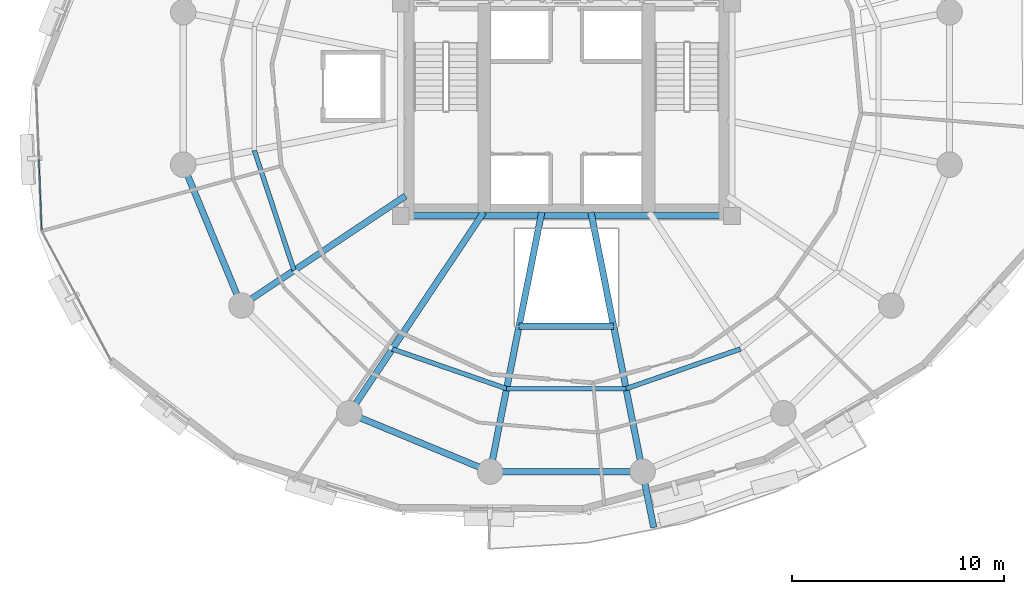
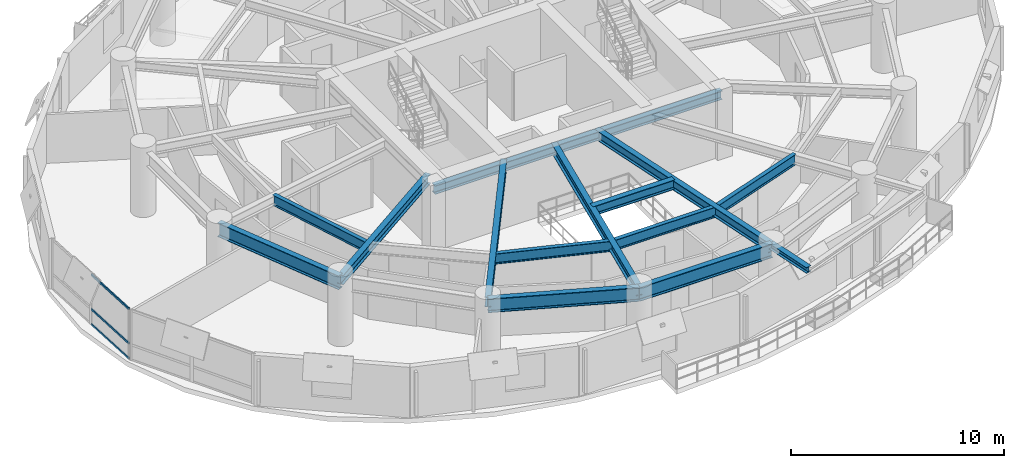
# One storey, part 3 of 15: 14 beams, 3 members, 1 element without a shape of its own.
"""IFC4 building model written with IfcOpenShell, lengths in metres."""

import ifcopenshell
import ifcopenshell.guid

model = None  # the IFC model being written
_history = None  # IfcOwnerHistory: only IFC2X3 demands one
_inside = {}  # id of a spatial element -> (the spatial element, [elements in it])
_under = {}  # id of a project, library or spatial element -> (it, [spatial elements below it])
_declared = {}  # id of a project -> (the project, [libraries it declares])
_typed = {}  # id of a type object -> (the type object, [elements of that type])
_made_of = {}  # id of a material, layer set ... -> (it, [elements and type objects made of it])


def new_model(schema):
    """Start an empty IFC model of exactly this schema.

    Asked for "IFC4X3", IfcOpenShell would pick the latest addendum, in which some entities
    have other attributes; the version numbers below select the first issue.
    IFC2X3 requires an IfcOwnerHistory on every rooted entity: one is made here for all.
    """
    global model, _history
    if schema == "IFC4X3":
        model = ifcopenshell.file(schema_version=(4, 3, 0, 0))
    else:
        model = ifcopenshell.file(schema=schema)
    _inside.clear()
    _under.clear()
    _declared.clear()
    _typed.clear()
    _made_of.clear()
    _history = None
    if model.schema == "IFC2X3":
        org = make("IfcOrganization", Name="unknown")
        user = make(
            "IfcPersonAndOrganization",
            ThePerson=make("IfcPerson", FamilyName="unknown"),
            TheOrganization=org,
        )
        app = make(
            "IfcApplication",
            ApplicationDeveloper=org,
            Version="unknown",
            ApplicationFullName="unknown",
            ApplicationIdentifier="unknown",
        )
        _history = make(
            "IfcOwnerHistory",
            OwningUser=user,
            OwningApplication=app,
            ChangeAction="ADDED",
            CreationDate=0,
        )
    return model


def make(cls, **values):
    """One entity of the class cls with the attributes given. An attribute that is None is left unset."""
    return model.create_entity(
        cls, **{name: value for name, value in values.items() if value is not None}
    )


def rooted(cls, **values):
    """An entity with a GlobalId (a new one), such as an element, a storey or a relation."""
    return make(cls, GlobalId=ifcopenshell.guid.new(), OwnerHistory=_history, **values)


def si_unit(unit_type, name, prefix=None):
    """IfcSIUnit, for example si_unit("LENGTHUNIT", "METRE", prefix="MILLI")."""
    return make("IfcSIUnit", UnitType=unit_type, Prefix=prefix, Name=name)


def assignment(units):
    """IfcUnitAssignment: the units of a project."""
    return None if units is None else make("IfcUnitAssignment", Units=units)


def point(xyz):
    """IfcCartesianPoint."""
    return None if xyz is None else make("IfcCartesianPoint", Coordinates=xyz)


def direction(xyz):
    """IfcDirection."""
    return None if xyz is None else make("IfcDirection", DirectionRatios=xyz)


def frame(location, z_axis=None, x_axis=None):
    """IfcAxis2Placement3D, a coordinate frame: its origin and axes. An axis left out is left unset."""
    return make(
        "IfcAxis2Placement3D",
        Location=point(location),
        Axis=direction(z_axis),
        RefDirection=direction(x_axis),
    )


def frame_2d(location, x_axis=None):
    """IfcAxis2Placement2D, a coordinate frame in the plane: its origin and x axis."""
    return make(
        "IfcAxis2Placement2D", Location=point(location), RefDirection=direction(x_axis)
    )


def origin():
    """The frame at (0, 0, 0) with its axes left unset."""
    return frame((0.0, 0.0, 0.0))


def origin_2d():
    """The frame at (0, 0) in the plane with its x axis left unset."""
    return frame_2d((0.0, 0.0))


def place(relative_to, where):
    """IfcLocalPlacement: puts the frame where relative to a parent placement (None: the world)."""
    return make(
        "IfcLocalPlacement", PlacementRelTo=relative_to, RelativePlacement=where
    )


def context(
    kind, dimensions, precision=None, world=None, true_north=None, identifier=None
):
    """IfcGeometricRepresentationContext, for example the 3D "Model" context."""
    return make(
        "IfcGeometricRepresentationContext",
        ContextIdentifier=identifier,
        ContextType=kind,
        CoordinateSpaceDimension=dimensions,
        Precision=precision,
        WorldCoordinateSystem=world,
        TrueNorth=true_north,
    )


def subcontext(parent, identifier, kind, view, scale=None):
    """IfcGeometricRepresentationSubContext, for example "Body" below "Model"."""
    return make(
        "IfcGeometricRepresentationSubContext",
        ContextIdentifier=identifier,
        ContextType=kind,
        ParentContext=parent,
        TargetScale=scale,
        TargetView=view,
    )


def project(units=None, contexts=None):
    """IfcProject with its units and contexts."""
    return rooted(
        "IfcProject",
        Name="project",
        RepresentationContexts=contexts,
        UnitsInContext=assignment(units),
    )


def spatial(cls, under=None, at=None, **own):
    """A site, building, storey or space (cls), placed at a placement, below another one or the project."""
    s = rooted(cls, ObjectPlacement=at, **own)
    if under is not None:
        _under.setdefault(under.id(), (under, []))[1].append(s)
    return s


def profile(cls, at=None, kind="AREA", **sizes):
    """A parametric profile (cls). Its sizes go by their IFC names, for example OverallWidth=200.0."""
    return make(cls, ProfileType=kind, Position=at, **sizes)


def hollow_rectangle(**sizes):
    """IfcRectangleHollowProfileDef."""
    return profile("IfcRectangleHollowProfileDef", **sizes)


def i_section(**sizes):
    """IfcIShapeProfileDef."""
    return profile("IfcIShapeProfileDef", **sizes)


def extrude(swept, where, along, depth):
    """IfcExtrudedAreaSolid: the profile swept, set in the frame where, extruded along a direction by depth."""
    return make(
        "IfcExtrudedAreaSolid",
        SweptArea=swept,
        Position=where,
        ExtrudedDirection=direction(along),
        Depth=depth,
    )


def shape(context_of_items, identifier, shape_type, items):
    """IfcShapeRepresentation: the items that make up one representation, for example the "Body"."""
    return make(
        "IfcShapeRepresentation",
        ContextOfItems=context_of_items,
        RepresentationIdentifier=identifier,
        RepresentationType=shape_type,
        Items=items,
    )


def material(Name=None, Category=None):
    """IfcMaterial."""
    return make("IfcMaterial", Name=Name, Category=Category)


def layer(
    of_material, thickness, ventilated=None, Name=None, Category=None, Priority=None
):
    """IfcMaterialLayer: one layer of a wall or slab, of a material (None: an air gap)."""
    return make(
        "IfcMaterialLayer",
        Material=of_material,
        LayerThickness=thickness,
        IsVentilated=ventilated,
        Name=Name,
        Category=Category,
        Priority=Priority,
    )


def layer_set(layers, Name=None):
    """IfcMaterialLayerSet."""
    return make("IfcMaterialLayerSet", MaterialLayers=layers, LayerSetName=Name)


def material_profile(
    of_material, cross_section, Name=None, Category=None, Priority=None
):
    """IfcMaterialProfile: a cross section and its material."""
    return make(
        "IfcMaterialProfile",
        Name=Name,
        Material=of_material,
        Profile=cross_section,
        Priority=Priority,
        Category=Category,
    )


def profile_set(profiles, Name=None, composite=None):
    """IfcMaterialProfileSet."""
    return make(
        "IfcMaterialProfileSet",
        Name=Name,
        MaterialProfiles=profiles,
        CompositeProfile=composite,
    )


def made_of(thing, what):
    """Note that an element or type object is made of a material, layer set ...; save() writes the relation."""
    if what is not None:
        _made_of.setdefault(what.id(), (what, []))[1].append(thing)
    return thing


def type_object(cls, material=None, **own):
    """A type object (cls), such as IfcWallType, which elements share."""
    return made_of(rooted(cls, **own), material)


def element(
    cls,
    number,
    at=None,
    inside=None,
    cuts=None,
    type_object=None,
    material=None,
    context=None,
    identifier="Body",
    shape_type=None,
    held_by="IfcProductDefinitionShape",
    body=None,
    shapes=None,
    **own,
):
    """One element of the class cls, such as IfcWall. Its Tag is "e" and its number.

    at: its placement. inside: the storey or other place that contains it. cuts: it is an
    opening in that element (IfcRelVoidsElement). A single representation is given by context,
    identifier, shape_type and body (its items); several are given by shapes. held_by: the class
    of the entity that holds the representations. save() writes the other relations.
    """
    e = rooted(cls, Tag="e%d" % number, ObjectPlacement=at, **own)
    if body is not None:
        shapes = [shape(context, identifier, shape_type, body)]
    if shapes is not None:
        e.Representation = make(held_by, Representations=shapes)
    if inside is not None:
        _inside.setdefault(inside.id(), (inside, []))[1].append(e)
    if cuts is not None:
        rooted(
            "IfcRelVoidsElement", RelatingBuildingElement=cuts, RelatedOpeningElement=e
        )
    if type_object is not None:
        _typed.setdefault(type_object.id(), (type_object, []))[1].append(e)
    return made_of(e, material)


def aggregate(whole, parts):
    """IfcRelAggregates: a whole, such as a stair, and the parts it consists of."""
    return rooted("IfcRelAggregates", RelatingObject=whole, RelatedObjects=parts)


def save(model, path):
    """Write the relations noted so far, then the file.

    IfcRelAggregates (storeys below a building ...), IfcRelContainedInSpatialStructure (elements
    in a storey), IfcRelDefinesByType, IfcRelAssociatesMaterial and IfcRelDeclares: one each for
    every whole, place, type object, material and project.
    """
    for whole, parts in _under.values():
        aggregate(whole, parts)
    for where, things in _inside.values():
        rooted(
            "IfcRelContainedInSpatialStructure",
            RelatedElements=things,
            RelatingStructure=where,
        )
    for kind, things in _typed.values():
        rooted("IfcRelDefinesByType", RelatedObjects=things, RelatingType=kind)
    for what, things in _made_of.values():
        rooted("IfcRelAssociatesMaterial", RelatedObjects=things, RelatingMaterial=what)
    for by, libraries in _declared.values():
        rooted("IfcRelDeclares", RelatingContext=by, RelatedDefinitions=libraries)
    model.write(path)


model = new_model("IFC4")

# Units and contexts
model_context = context("Model", 3, precision=1e-05, world=origin(), true_north=direction((0.0, 1.0)))
body_context = subcontext(model_context, "Body", "Model", "MODEL_VIEW")
ifc_project = project(units=[si_unit("LENGTHUNIT", "METRE"), si_unit("AREAUNIT", "SQUARE_METRE"), si_unit("VOLUMEUNIT", "CUBIC_METRE"), si_unit("PLANEANGLEUNIT", "RADIAN"), si_unit("MASSUNIT", "GRAM", prefix="KILO"), si_unit("THERMODYNAMICTEMPERATUREUNIT", "KELVIN"), si_unit("POWERUNIT", "WATT")], contexts=[model_context])

# Site, building, storey
site_placement = place(None, origin())
site = spatial("IfcSite", under=ifc_project, at=site_placement, CompositionType="ELEMENT")
building_placement = place(site_placement, origin())
building = spatial("IfcBuilding", under=site, at=building_placement, Name="Ocrelia Relay Tower", CompositionType="ELEMENT")
storey_placement = place(building_placement, frame((0.0, 0.0, 97.800048828125)))
storey = spatial("IfcBuildingStorey", under=building, at=storey_placement, Name="L22", CompositionType="ELEMENT", Elevation=97.800048828125)

# Beams
ifc_material_1 = material(Name="Steel S355", Category="steel")
ifc_material_profile_1 = material_profile(ifc_material_1, i_section(OverallWidth=0.300048828125, OverallDepth=0.330078125, WebThickness=0.009521484375, FlangeThickness=0.0166015625, FilletRadius=0.027099609375, at=origin_2d()), Name="HEA 340")
ifc_profile_set_1 = profile_set([ifc_material_profile_1], Name="Steel S355")
beam_type_1 = type_object("IfcBeamType", Name="BM-HEA340", PredefinedType="BEAM", material=ifc_profile_set_1)
beam_1_placement = place(storey_placement, frame((37.589599609375, 7.95361328125, 3.554931640625), z_axis=(0.195099630317, -0.980783428821, 0.0), x_axis=(0.980783428821, 0.195099630317, 0.0)))
element("IfcBeam", 1, at=beam_1_placement, inside=storey, type_object=beam_type_1, Name="L23 Balcony Cantilever Beam B2-1", PredefinedType="BEAM", context=body_context, shape_type="SweptSolid", body=[
    extrude(i_section(OverallWidth=0.300048828125, OverallDepth=0.330078125, WebThickness=0.009521484375, FlangeThickness=0.0166015625, FilletRadius=0.027099609375, at=origin_2d()), origin(), (0.0, 0.0, 1.0), 2.67919921875),
])
ifc_material_profile_2 = material_profile(ifc_material_1, i_section(OverallWidth=0.300048828125, OverallDepth=0.5, WebThickness=0.014404296875, FlangeThickness=0.028076171875, FilletRadius=0.027099609375, at=origin_2d()), Name="HEB 500")
ifc_profile_set_2 = profile_set([ifc_material_profile_2], Name="Steel S355")
beam_type_2 = type_object("IfcBeamType", Name="BM-HEB500", PredefinedType="BEAM", material=ifc_profile_set_2)
beam_2_placement = place(storey_placement, frame((26.199951171875, 20.0, 3.469970703125), z_axis=(1.0, 0.0, 0.0), x_axis=(0.0, 1.0, 0.0)))
element("IfcBeam", 2, at=beam_2_placement, inside=storey, type_object=beam_type_2, Name="L22 Core Pilaster Tie Beam S", PredefinedType="BEAM", context=body_context, shape_type="SweptSolid", body=[
    extrude(i_section(OverallWidth=0.300048828125, OverallDepth=0.5, WebThickness=0.014404296875, FlangeThickness=0.028076171875, FilletRadius=0.027099609375, at=origin_2d()), origin(), (0.0, 0.0, 1.0), 15.60009765625),
])
ifc_material_profile_3 = material_profile(ifc_material_1, i_section(OverallWidth=0.300048828125, OverallDepth=0.550048828125, WebThickness=0.014892578125, FlangeThickness=0.029052734375, FilletRadius=0.027099609375, at=origin_2d()), Name="HEB 550")
ifc_profile_set_3 = profile_set([ifc_material_profile_3], Name="Steel S355")
beam_type_3 = type_object("IfcBeamType", Name="BM-HEB550", PredefinedType="BEAM", material=ifc_profile_set_3)
beam_3_placement = place(storey_placement, frame((18.700927734375, 15.777587890625, 3.445068359375), z_axis=(0.831472030531, 0.555566613868, 0.0), x_axis=(-0.555566613868, 0.831472030531, 0.0)))
element("IfcBeam", 3, at=beam_3_placement, inside=storey, type_object=beam_type_3, Name="L22 Radial Floor Girder R10", PredefinedType="BEAM", context=body_context, shape_type="SweptSolid", body=[
    extrude(i_section(OverallWidth=0.300048828125, OverallDepth=0.550048828125, WebThickness=0.014892578125, FlangeThickness=0.029052734375, FilletRadius=0.027099609375, at=origin_2d()), origin(), (0.0, 0.0, 1.0), 9.295654296875),
])
beam_4_placement = place(storey_placement, frame((23.777587890625, 10.700927734375, 3.445068359375), z_axis=(0.555565661158, 0.831472667105, 0.0), x_axis=(-0.831472667105, 0.555565661158, 0.0)))
element("IfcBeam", 4, at=beam_4_placement, inside=storey, type_object=beam_type_3, Name="L22 Radial Floor Girder R11", PredefinedType="BEAM", context=body_context, shape_type="SweptSolid", body=[
    extrude(i_section(OverallWidth=0.300048828125, OverallDepth=0.550048828125, WebThickness=0.014892578125, FlangeThickness=0.029052734375, FilletRadius=0.027099609375, at=origin_2d()), origin(), (0.0, 0.0, 1.0), 11.38818359375),
])
for number, where, z_axis, x_axis, name in (
    (5, (30.410400390625, 7.95361328125, 3.445068359375), (0.195086983979, 0.980785944374, 0.0), (-0.980785944374, 0.195086983979, 0.0), "L22 Radial Floor Girder R12"),
    (6, (37.589599609375, 7.95361328125, 3.445068359375), (-0.195086983979, 0.980785944374, 0.0), (-0.980785944374, -0.195086983979, 0.0), "L22 Radial Floor Girder R13"),
):
    element("IfcBeam", number, at=place(storey_placement, frame(where, z_axis=z_axis, x_axis=x_axis)), inside=storey, type_object=beam_type_3, Name=name, PredefinedType="BEAM", context=body_context, shape_type="SweptSolid", body=[
        extrude(i_section(OverallWidth=0.300048828125, OverallDepth=0.550048828125, WebThickness=0.014892578125, FlangeThickness=0.029052734375, FilletRadius=0.027099609375, at=origin_2d()), origin(), (0.0, 0.0, 1.0), 12.45556640625),
    ])
beam_5_placement = place(storey_placement, frame((31.772216796875, 14.800048828125, 3.445068359375), z_axis=(1.0, 0.0, 0.0), x_axis=(0.0, 1.0, 0.0)))
element("IfcBeam", 7, at=beam_5_placement, inside=storey, type_object=beam_type_3, Name="L22 Atrium South Trimmer Beam", PredefinedType="BEAM", context=body_context, shape_type="SweptSolid", body=[
    extrude(i_section(OverallWidth=0.300048828125, OverallDepth=0.550048828125, WebThickness=0.014892578125, FlangeThickness=0.029052734375, FilletRadius=0.027099609375, at=origin_2d()), origin(), (0.0, 0.0, 1.0), 4.45556640625),
])
ifc_material_profile_4 = material_profile(ifc_material_1, i_section(OverallWidth=0.300048828125, OverallDepth=0.800048828125, WebThickness=0.017578125, FlangeThickness=0.032958984375, FilletRadius=0.030029296875, at=origin_2d()), Name="HEB 800")
ifc_profile_set_4 = profile_set([ifc_material_profile_4], Name="Steel S355")
beam_type_4 = type_object("IfcBeamType", Name="BM-HEB800", PredefinedType="BEAM", material=ifc_profile_set_4)
for number, where, z_axis, x_axis, name in (
    (8, (15.95361328125, 22.410400390625, 3.320068359375), (0.382673155247, -0.923883789366, 0.0), (0.923883789366, 0.382673155247, 0.0), "L22 Perimeter Spandrel Beam S09"),
    (9, (23.777587890625, 10.700927734375, 3.320068359375), (0.923883789366, -0.382673155247, 0.0), (0.382673155247, 0.923883789366, 0.0), "L22 Perimeter Spandrel Beam S11"),
    (10, (30.410400390625, 7.95361328125, 3.320068359375), (1.0, 0.0, 0.0), (0.0, 1.0, 0.0), "L22 Perimeter Spandrel Beam S12"),
):
    element("IfcBeam", number, at=place(storey_placement, frame(where, z_axis=z_axis, x_axis=x_axis)), inside=storey, type_object=beam_type_4, Name=name, PredefinedType="BEAM", context=body_context, shape_type="SweptSolid", body=[
        extrude(i_section(OverallWidth=0.300048828125, OverallDepth=0.800048828125, WebThickness=0.017578125, FlangeThickness=0.032958984375, FilletRadius=0.030029296875, at=origin_2d()), origin(), (0.0, 0.0, 1.0), 7.17919921875),
    ])
ifc_material_profile_5 = material_profile(ifc_material_1, i_section(OverallWidth=0.219970703125, OverallDepth=0.60009765625, WebThickness=0.011962890625, FlangeThickness=0.01904296875, FilletRadius=0.02392578125, at=origin_2d()), Name="IPE 600")
ifc_profile_set_5 = profile_set([ifc_material_profile_5], Name="Steel S355")
beam_type_5 = type_object("IfcBeamType", Name="BM-IPE600", PredefinedType="JOIST", material=ifc_profile_set_5)
beam_6_placement = place(storey_placement, frame((19.305908203125, 23.0771484375, 3.419921875), z_axis=(0.314121352003, -0.949382839647, 0.0), x_axis=(0.949382839647, 0.314121352003, 0.0)))
element("IfcBeam", 11, at=beam_6_placement, inside=storey, type_object=beam_type_5, Name="L22 Secondary Floor Joist J09", PredefinedType="JOIST", context=body_context, shape_type="SweptSolid", body=[
    extrude(i_section(OverallWidth=0.219970703125, OverallDepth=0.60009765625, WebThickness=0.011962890625, FlangeThickness=0.01904296875, FilletRadius=0.02392578125, at=origin_2d()), origin(), (0.0, 0.0, 1.0), 5.947998046875),
])
beam_7_placement = place(storey_placement, frame((25.802001953125, 13.731201171875, 3.419921875), z_axis=(0.944767437111, -0.327741498401, 0.0), x_axis=(0.327741498401, 0.944767437111, 0.0)))
element("IfcBeam", 12, at=beam_7_placement, inside=storey, type_object=beam_type_5, Name="L22 Secondary Floor Joist J11", PredefinedType="JOIST", context=body_context, shape_type="SweptSolid", body=[
    extrude(i_section(OverallWidth=0.219970703125, OverallDepth=0.60009765625, WebThickness=0.011962890625, FlangeThickness=0.01904296875, FilletRadius=0.02392578125, at=origin_2d()), origin(), (0.0, 0.0, 1.0), 5.700927734375),
])
beam_8_placement = place(storey_placement, frame((31.18798828125, 11.86279296875, 3.419921875), z_axis=(1.0, 0.0, 0.0), x_axis=(0.0, 1.0, 0.0)))
element("IfcBeam", 13, at=beam_8_placement, inside=storey, type_object=beam_type_5, Name="L22 Secondary Floor Joist J12", PredefinedType="JOIST", context=body_context, shape_type="SweptSolid", body=[
    extrude(i_section(OverallWidth=0.219970703125, OverallDepth=0.60009765625, WebThickness=0.011962890625, FlangeThickness=0.01904296875, FilletRadius=0.02392578125, at=origin_2d()), origin(), (0.0, 0.0, 1.0), 5.6240234375),
])
beam_9_placement = place(storey_placement, frame((36.81201171875, 11.86279296875, 3.419921875), z_axis=(0.944767437111, 0.327741498401, 0.0), x_axis=(-0.327741498401, 0.944767437111, 0.0)))
element("IfcBeam", 14, at=beam_9_placement, inside=storey, type_object=beam_type_5, Name="L22 Secondary Floor Joist J13", PredefinedType="JOIST", context=body_context, shape_type="SweptSolid", body=[
    extrude(i_section(OverallWidth=0.219970703125, OverallDepth=0.60009765625, WebThickness=0.011962890625, FlangeThickness=0.01904296875, FilletRadius=0.02392578125, at=origin_2d()), origin(), (0.0, 0.0, 1.0), 5.700927734375),
])

# Curtain wall, members
ifc_material_2 = material(Name="Aluminium and solar-control low-E glass", Category="aluminium")
ifc_layer = layer(ifc_material_2, 0.179931640625, Name="Aluminium and solar-control low-E glass")
ifc_layer_set = layer_set([ifc_layer], Name="Aluminium and solar-control low-E glass")
curtain_wall_type = type_object("IfcCurtainWallType", Name="CW-SYS-Z2-SWIT", PredefinedType="NOTDEFINED", material=ifc_layer_set)
curtain_wall_placement = place(storey_placement, origin())
curtain_wall = element("IfcCurtainWall", 15, at=curtain_wall_placement, inside=storey, type_object=curtain_wall_type, Name="L22 Elliptical Tower Curtain Wall Bay 09", PredefinedType="NOTDEFINED")
ifc_material_3 = material(Name="Anodised bronze aluminium", Category="aluminium")
ifc_material_profile_6 = material_profile(ifc_material_3, hollow_rectangle(XDim=0.06005859375, YDim=0.1201171875, WallThickness=0.0048828125, at=origin_2d()), Name="CW-TRN-120x60")
ifc_profile_set_6 = profile_set([ifc_material_profile_6], Name="Anodised bronze aluminium")
member_type = type_object("IfcMemberType", Name="CW-SYS-Z2-SWIT-TRN", PredefinedType="USERDEFINED", material=ifc_profile_set_6)
member_1_placement = place(storey_placement, frame((9.1630859375, 22.68994140625, 0.030029296875), z_axis=(0.038950489991, -0.999241141732, 0.0), x_axis=(0.999241141732, 0.038950489991, 0.0)))
member_1 = element("IfcMember", 16, at=member_1_placement, type_object=member_type, Name="CW-Z2 transom 2.1", ObjectType="TRANSOM", PredefinedType="USERDEFINED", context=body_context, shape_type="SweptSolid", body=[
    extrude(hollow_rectangle(XDim=0.06005859375, YDim=0.1201171875, WallThickness=0.0048828125, at=origin_2d()), origin(), (0.0, 0.0, 1.0), 3.33447265625),
])
member_2_placement = place(storey_placement, frame((9.1630859375, 22.68994140625, 0.89990234375), z_axis=(0.038950489991, -0.999241141732, 0.0), x_axis=(0.999241141732, 0.038950489991, 0.0)))
member_2 = element("IfcMember", 17, at=member_2_placement, type_object=member_type, Name="CW-Z2 transom 2.2", ObjectType="TRANSOM", PredefinedType="USERDEFINED", context=body_context, shape_type="SweptSolid", body=[
    extrude(hollow_rectangle(XDim=0.06005859375, YDim=0.1201171875, WallThickness=0.0048828125, at=origin_2d()), origin(), (0.0, 0.0, 1.0), 3.33447265625),
])
member_3_placement = place(storey_placement, frame((9.1630859375, 22.68994140625, 2.869873046875), z_axis=(0.038950489991, -0.999241141732, 0.0), x_axis=(0.999241141732, 0.038950489991, 0.0)))
member_3 = element("IfcMember", 18, at=member_3_placement, type_object=member_type, Name="CW-Z2 transom 2.3", ObjectType="TRANSOM", PredefinedType="USERDEFINED", context=body_context, shape_type="SweptSolid", body=[
    extrude(hollow_rectangle(XDim=0.06005859375, YDim=0.1201171875, WallThickness=0.0048828125, at=origin_2d()), origin(), (0.0, 0.0, 1.0), 3.33447265625),
])
aggregate(curtain_wall, [member_1, member_2, member_3])

save(model, "model.ifc")
